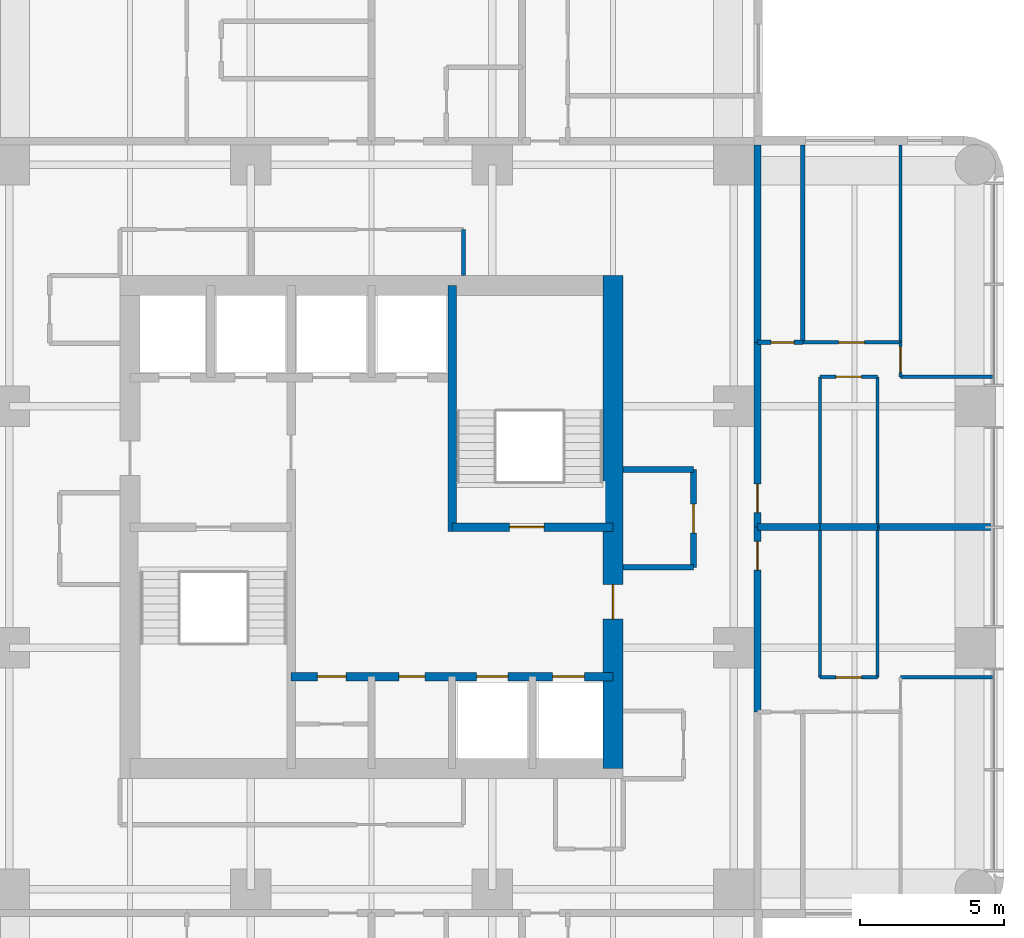
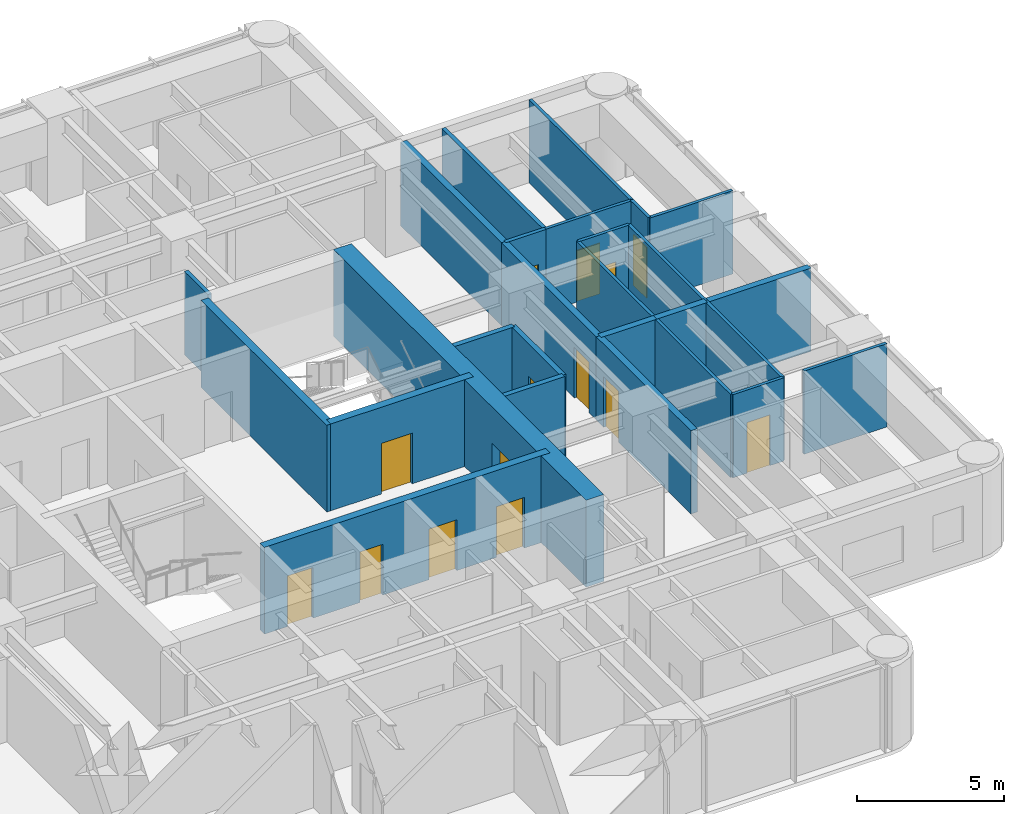
# One storey, part 8 of 11: 27 walls, 14 doors, 14 openings.
"""IFC4 building model written with IfcOpenShell, lengths in metres."""

from ifc_helpers import new_model, si_unit, direction, frame, frame_2d, origin, place, context, subcontext, project, spatial, rectangle, extrude, material, layer, layer_set, type_object, element, fill, save


model = new_model("IFC4")

# Units and contexts
model_context = context("Model", 3, precision=1e-05, world=origin(), true_north=direction((0.0, 1.0)))
body_context = subcontext(model_context, "Body", "Model", "MODEL_VIEW")
ifc_project = project(units=[si_unit("LENGTHUNIT", "METRE"), si_unit("AREAUNIT", "SQUARE_METRE"), si_unit("VOLUMEUNIT", "CUBIC_METRE"), si_unit("PLANEANGLEUNIT", "RADIAN"), si_unit("MASSUNIT", "GRAM", prefix="KILO")], contexts=[model_context])

# Site, building, storey
site_placement = place(None, origin())
site = spatial("IfcSite", under=ifc_project, at=site_placement, CompositionType="ELEMENT")
building_placement = place(site_placement, origin())
building = spatial("IfcBuilding", under=site, at=building_placement, Name="Torre Alcanfor", CompositionType="ELEMENT")
storey_placement = place(building_placement, frame((0.0, 0.0, 208.5)))
storey = spatial("IfcBuildingStorey", under=building, at=storey_placement, Name="L54", CompositionType="ELEMENT", Elevation=208.5)

# Wall, opening, door
ifc_material_1 = material(Name="Concrete block masonry, hollow blocks NMX-C-404 9 MPa", Category="masonry")
ifc_layer_1 = layer(ifc_material_1, 0.25)
ifc_layer_set_1 = layer_set([ifc_layer_1], Name="Apartment entrance wall 250 EI 60")
wall_type_1 = type_object("IfcWallType", Name="Apartment entrance wall 250 EI 60", PredefinedType="PARTITIONING", material=ifc_layer_set_1)
wall_1_placement = place(storey_placement, frame((42.824951171875, 35.8291015625, 0.0), z_axis=(0.0, 0.0, 1.0), x_axis=(0.0, -1.0, 0.0)))
wall_1 = element("IfcWall", 1, at=wall_1_placement, inside=storey, type_object=wall_type_1, Name="Partition L54-CORR / L54-E1-LIVING", PredefinedType="PARTITIONING", context=body_context, shape_type="SweptSolid", body=[
    extrude(rectangle(XDim=6.42919921875, YDim=0.25, at=frame_2d((3.214599609375, 0.0))), origin(), (0.0, 0.0, 1.0), 3.449951171875),
])
opening_1_placement = place(wall_1_placement, frame((4.928955078125, 0.0, 0.0)))
opening_1 = element("IfcOpeningElement", 2, at=opening_1_placement, cuts=wall_1, Name="Opening D-A1", PredefinedType="OPENING", context=body_context, shape_type="SweptSolid", body=[
    extrude(rectangle(XDim=1.0, YDim=2.10009765625, at=frame_2d((0.5, 1.050048828125))), frame((0.0, 0.135009765625, 0.0), z_axis=(0.0, -1.0, 0.0), x_axis=(1.0, 0.0, 0.0)), (0.0, 0.0, 1.0), 0.27001953125),
])
ifc_material_2 = material(Name="Galvanised steel sheet ASTM A653", Category="steel")
door_type_1 = type_object("IfcDoorType", Name="Apartment entrance door FD60 1000x2100", OperationType="SINGLE_SWING_LEFT", PredefinedType="DOOR", material=ifc_material_2)
door_1_placement = place(opening_1_placement, origin())
door_1 = element("IfcDoor", 3, at=door_1_placement, inside=storey, type_object=door_type_1, Name="Apartment entrance L54-E1", OperationType="SINGLE_SWING_RIGHT", OverallHeight=2.10009765625, OverallWidth=1.0, PredefinedType="DOOR", context=body_context, shape_type="SweptSolid", body=[
    extrude(rectangle(XDim=1.0, YDim=2.10009765625, at=frame_2d((0.5, 1.050048828125))), frame((0.0, 0.02490234375, 0.0), z_axis=(0.0, -1.0, 0.0), x_axis=(1.0, 0.0, 0.0)), (0.0, 0.0, 1.0), 0.050048828125),
])
fill(opening_1, door_1)

# Wall
wall_2_placement = place(storey_placement, frame((42.824951171875, 42.699951171875, 0.0), z_axis=(0.0, 0.0, 1.0), x_axis=(0.0, -1.0, 0.0)))
element("IfcWall", 4, at=wall_2_placement, inside=storey, type_object=wall_type_1, Name="Partition L54-CORR / L54-E1-BATH", PredefinedType="PARTITIONING", context=body_context, shape_type="SweptSolid", body=[
    extrude(rectangle(XDim=6.870849609375, YDim=0.25, at=frame_2d((3.435546875, 0.0))), origin(), (0.0, 0.0, 1.0), 3.449951171875),
])

# Wall, opening, door
wall_3_placement = place(storey_placement, frame((42.824951171875, 29.39990234375, 0.0), z_axis=(0.0, 0.0, 1.0), x_axis=(0.0, -1.0, 0.0)))
wall_3 = element("IfcWall", 5, at=wall_3_placement, inside=storey, type_object=wall_type_1, Name="Partition L54-CORR / L54-E2-LIVING", PredefinedType="PARTITIONING", context=body_context, shape_type="SweptSolid", body=[
    extrude(rectangle(XDim=6.428955078125, YDim=0.25, at=frame_2d((3.21435546875, 0.0))), origin(), (0.0, 0.0, 1.0), 3.449951171875),
])
opening_2_placement = place(wall_3_placement, frame((0.5, 0.0, 0.0)))
opening_2 = element("IfcOpeningElement", 6, at=opening_2_placement, cuts=wall_3, Name="Opening D-A1", PredefinedType="OPENING", context=body_context, shape_type="SweptSolid", body=[
    extrude(rectangle(XDim=1.0, YDim=2.10009765625, at=frame_2d((0.5, 1.050048828125))), frame((0.0, 0.135009765625, 0.0), z_axis=(0.0, -1.0, 0.0), x_axis=(1.0, 0.0, 0.0)), (0.0, 0.0, 1.0), 0.27001953125),
])
door_2_placement = place(opening_2_placement, origin())
door_2 = element("IfcDoor", 7, at=door_2_placement, inside=storey, type_object=door_type_1, Name="Apartment entrance L54-E2", OperationType="SINGLE_SWING_LEFT", OverallHeight=2.10009765625, OverallWidth=1.0, PredefinedType="DOOR", context=body_context, shape_type="SweptSolid", body=[
    extrude(rectangle(XDim=1.0, YDim=2.10009765625, at=frame_2d((0.5, 1.050048828125))), frame((0.0, 0.02490234375, 0.0), z_axis=(0.0, -1.0, 0.0), x_axis=(1.0, 0.0, 0.0)), (0.0, 0.0, 1.0), 0.050048828125),
])
fill(opening_2, door_2)

# Wall
ifc_material_3 = material(Name="Gypsum board on steel studs", Category="steel")
ifc_layer_2 = layer(ifc_material_3, 0.1201171875)
ifc_layer_set_2 = layer_set([ifc_layer_2], Name="Apartment partition 120")
wall_type_2 = type_object("IfcWallType", Name="Apartment partition 120", PredefinedType="PARTITIONING", material=ifc_layer_set_2)
wall_4_placement = place(storey_placement, frame((47.0, 29.39990234375, 0.0), z_axis=(0.0, 0.0, 1.0), x_axis=(0.0, 1.0, 0.0)))
element("IfcWall", 8, at=wall_4_placement, inside=storey, type_object=wall_type_2, Name="Partition L54-E1-KITCHEN / L54-E1-LIVING", PredefinedType="PARTITIONING", context=body_context, shape_type="SweptSolid", body=[
    extrude(rectangle(XDim=5.22900390625, YDim=0.1201171875, at=frame_2d((2.614501953125, 0.0))), origin(), (0.0, 0.0, 1.0), 3.449951171875),
])

# Wall, opening, door
wall_5_placement = place(storey_placement, frame((47.0, 34.62890625, 0.0), z_axis=(0.0, 0.0, 1.0), x_axis=(-1.0, 0.0, 0.0)))
wall_5 = element("IfcWall", 9, at=wall_5_placement, inside=storey, type_object=wall_type_2, Name="Partition L54-E1-KITCHEN / L54-E1-LIVING", PredefinedType="PARTITIONING", context=body_context, shape_type="SweptSolid", body=[
    extrude(rectangle(XDim=2.0, YDim=0.1201171875, at=frame_2d((1.0, 0.0))), origin(), (0.0, 0.0, 1.0), 3.449951171875),
])
opening_3_placement = place(wall_5_placement, frame((0.550048828125, 0.0, 0.0)))
opening_3 = element("IfcOpeningElement", 10, at=opening_3_placement, cuts=wall_5, Name="Opening D-R1", PredefinedType="OPENING", context=body_context, shape_type="SweptSolid", body=[
    extrude(rectangle(XDim=0.89990234375, YDim=2.10009765625, at=frame_2d((0.449951171875, 1.050048828125))), frame((0.0, 0.070068359375, 0.0), z_axis=(0.0, -1.0, 0.0), x_axis=(1.0, 0.0, 0.0)), (0.0, 0.0, 1.0), 0.14013671875),
])
ifc_material_4 = material(Name="Timber", Category="wood")
door_type_2 = type_object("IfcDoorType", Name="Internal door 900x2100", OperationType="SINGLE_SWING_LEFT", PredefinedType="DOOR", material=ifc_material_4)
door_3_placement = place(opening_3_placement, origin())
door_3 = element("IfcDoor", 11, at=door_3_placement, inside=storey, type_object=door_type_2, Name="Door L54-E1 kitchen", OperationType="SINGLE_SWING_LEFT", OverallHeight=2.10009765625, OverallWidth=0.89990234375, PredefinedType="DOOR", context=body_context, shape_type="SweptSolid", body=[
    extrude(rectangle(XDim=0.89990234375, YDim=2.10009765625, at=frame_2d((0.449951171875, 1.050048828125))), frame((0.0, 0.02490234375, 0.0), z_axis=(0.0, -1.0, 0.0), x_axis=(1.0, 0.0, 0.0)), (0.0, 0.0, 1.0), 0.050048828125),
])
fill(opening_3, door_3)

# Wall
wall_6_placement = place(storey_placement, frame((45.0, 34.62890625, 0.0), z_axis=(0.0, 0.0, 1.0), x_axis=(0.0, -1.0, 0.0)))
element("IfcWall", 12, at=wall_6_placement, inside=storey, type_object=wall_type_2, Name="Partition L54-E1-KITCHEN / L54-E1-LIVING", PredefinedType="PARTITIONING", context=body_context, shape_type="SweptSolid", body=[
    extrude(rectangle(XDim=5.22900390625, YDim=0.1201171875, at=frame_2d((2.614501953125, 0.0))), origin(), (0.0, 0.0, 1.0), 3.449951171875),
])

# Wall, opening, door
wall_7_placement = place(storey_placement, frame((44.39990234375, 35.8291015625, 0.0), z_axis=(0.0, 0.0, 1.0), x_axis=(1.0, 0.0, 0.0)))
wall_7 = element("IfcWall", 13, at=wall_7_placement, inside=storey, type_object=wall_type_2, Name="Partition L54-E1-LIVING / L54-E1-STUDY", PredefinedType="PARTITIONING", context=body_context, shape_type="SweptSolid", body=[
    extrude(rectangle(XDim=3.400146484375, YDim=0.1201171875, at=frame_2d((1.7001953125, 0.0))), origin(), (0.0, 0.0, 1.0), 3.449951171875),
])
opening_4_placement = place(wall_7_placement, frame((1.25, 0.0, 0.0)))
opening_4 = element("IfcOpeningElement", 14, at=opening_4_placement, cuts=wall_7, Name="Opening D-R1", PredefinedType="OPENING", context=body_context, shape_type="SweptSolid", body=[
    extrude(rectangle(XDim=0.89990234375, YDim=2.10009765625, at=frame_2d((0.449951171875, 1.050048828125))), frame((0.0, 0.070068359375, 0.0), z_axis=(0.0, -1.0, 0.0), x_axis=(1.0, 0.0, 0.0)), (0.0, 0.0, 1.0), 0.14013671875),
])
door_4_placement = place(opening_4_placement, origin())
door_4 = element("IfcDoor", 15, at=door_4_placement, inside=storey, type_object=door_type_2, Name="Door L54-E1 study", OperationType="SINGLE_SWING_LEFT", OverallHeight=2.10009765625, OverallWidth=0.89990234375, PredefinedType="DOOR", context=body_context, shape_type="SweptSolid", body=[
    extrude(rectangle(XDim=0.89990234375, YDim=2.10009765625, at=frame_2d((0.449951171875, 1.050048828125))), frame((0.0, 0.02490234375, 0.0), z_axis=(0.0, -1.0, 0.0), x_axis=(1.0, 0.0, 0.0)), (0.0, 0.0, 1.0), 0.050048828125),
])
fill(opening_4, door_4)

wall_8_placement = place(storey_placement, frame((47.800048828125, 35.8291015625, 0.0), z_axis=(0.0, 0.0, 1.0), x_axis=(0.0, -1.0, 0.0)))
wall_8 = element("IfcWall", 16, at=wall_8_placement, inside=storey, type_object=wall_type_2, Name="Partition L54-E1-LIVING / L54-E1-MASTER", PredefinedType="PARTITIONING", context=body_context, shape_type="SweptSolid", body=[
    extrude(rectangle(XDim=1.2001953125, YDim=0.1201171875, at=frame_2d((0.60009765625, 0.0))), origin(), (0.0, 0.0, 1.0), 3.449951171875),
])
opening_5_placement = place(wall_8_placement, frame((0.14892578125, 0.0, 0.0)))
opening_5 = element("IfcOpeningElement", 17, at=opening_5_placement, cuts=wall_8, Name="Opening D-R1", PredefinedType="OPENING", context=body_context, shape_type="SweptSolid", body=[
    extrude(rectangle(XDim=0.89990234375, YDim=2.10009765625, at=frame_2d((0.449951171875, 1.050048828125))), frame((0.0, 0.070068359375, 0.0), z_axis=(0.0, -1.0, 0.0), x_axis=(1.0, 0.0, 0.0)), (0.0, 0.0, 1.0), 0.14013671875),
])
door_5_placement = place(opening_5_placement, origin())
door_5 = element("IfcDoor", 18, at=door_5_placement, inside=storey, type_object=door_type_2, Name="Door L54-E1 master", OperationType="SINGLE_SWING_RIGHT", OverallHeight=2.10009765625, OverallWidth=0.89990234375, PredefinedType="DOOR", context=body_context, shape_type="SweptSolid", body=[
    extrude(rectangle(XDim=0.89990234375, YDim=2.10009765625, at=frame_2d((0.449951171875, 1.050048828125))), frame((0.0, 0.02490234375, 0.0), z_axis=(0.0, -1.0, 0.0), x_axis=(1.0, 0.0, 0.0)), (0.0, 0.0, 1.0), 0.050048828125),
])
fill(opening_5, door_5)

# Walls
wall_9_placement = place(storey_placement, frame((47.800048828125, 34.62890625, 0.0), z_axis=(0.0, 0.0, 1.0), x_axis=(1.0, 0.0, 0.0)))
element("IfcWall", 19, at=wall_9_placement, inside=storey, type_object=wall_type_2, Name="Partition L54-E1-LIVING / L54-E1-MASTER", PredefinedType="PARTITIONING", context=body_context, shape_type="SweptSolid", body=[
    extrude(rectangle(XDim=3.25, YDim=0.1201171875, at=frame_2d((1.625, 0.0))), origin(), (0.0, 0.0, 1.0), 3.449951171875),
])
wall_10_placement = place(storey_placement, frame((47.800048828125, 35.8291015625, 0.0), z_axis=(0.0, 0.0, 1.0), x_axis=(0.0, 1.0, 0.0)))
element("IfcWall", 20, at=wall_10_placement, inside=storey, type_object=wall_type_2, Name="Partition L54-E1-STUDY / L54-E1-MASTER", PredefinedType="PARTITIONING", context=body_context, shape_type="SweptSolid", body=[
    extrude(rectangle(XDim=6.870849609375, YDim=0.1201171875, at=frame_2d((3.435546875, 0.0))), origin(), (0.0, 0.0, 1.0), 3.449951171875),
])
wall_11_placement = place(storey_placement, frame((47.0, 29.39990234375, 0.0), z_axis=(0.0, 0.0, 1.0), x_axis=(0.0, -1.0, 0.0)))
element("IfcWall", 21, at=wall_11_placement, inside=storey, type_object=wall_type_2, Name="Partition L54-E2-KITCHEN / L54-E2-LIVING", PredefinedType="PARTITIONING", context=body_context, shape_type="SweptSolid", body=[
    extrude(rectangle(XDim=5.22900390625, YDim=0.1201171875, at=frame_2d((2.614501953125, 0.0))), origin(), (0.0, 0.0, 1.0), 3.449951171875),
])

# Wall, opening, door
wall_12_placement = place(storey_placement, frame((47.0, 24.1708984375, 0.0), z_axis=(0.0, 0.0, 1.0), x_axis=(-1.0, 0.0, 0.0)))
wall_12 = element("IfcWall", 22, at=wall_12_placement, inside=storey, type_object=wall_type_2, Name="Partition L54-E2-KITCHEN / L54-E2-LIVING", PredefinedType="PARTITIONING", context=body_context, shape_type="SweptSolid", body=[
    extrude(rectangle(XDim=2.0, YDim=0.1201171875, at=frame_2d((1.0, 0.0))), origin(), (0.0, 0.0, 1.0), 3.449951171875),
])
opening_6_placement = place(wall_12_placement, frame((0.550048828125, 0.0, 0.0)))
opening_6 = element("IfcOpeningElement", 23, at=opening_6_placement, cuts=wall_12, Name="Opening D-R1", PredefinedType="OPENING", context=body_context, shape_type="SweptSolid", body=[
    extrude(rectangle(XDim=0.89990234375, YDim=2.10009765625, at=frame_2d((0.449951171875, 1.050048828125))), frame((0.0, 0.070068359375, 0.0), z_axis=(0.0, -1.0, 0.0), x_axis=(1.0, 0.0, 0.0)), (0.0, 0.0, 1.0), 0.14013671875),
])
door_6_placement = place(opening_6_placement, frame((0.89990234375, 0.0, 0.0), z_axis=(0.0, 0.0, 1.0), x_axis=(-1.0, 0.0, 0.0)))
door_6 = element("IfcDoor", 24, at=door_6_placement, inside=storey, type_object=door_type_2, Name="Door L54-E2 kitchen", OperationType="SINGLE_SWING_RIGHT", OverallHeight=2.10009765625, OverallWidth=0.89990234375, PredefinedType="DOOR", context=body_context, shape_type="SweptSolid", body=[
    extrude(rectangle(XDim=0.89990234375, YDim=2.10009765625, at=frame_2d((0.449951171875, 1.050048828125))), frame((0.0, 0.025146484375, 0.0), z_axis=(0.0, -1.0, 0.0), x_axis=(1.0, 0.0, 0.0)), (0.0, 0.0, 1.0), 0.050048828125),
])
fill(opening_6, door_6)

# Walls
wall_13_placement = place(storey_placement, frame((45.0, 24.1708984375, 0.0), z_axis=(0.0, 0.0, 1.0), x_axis=(0.0, 1.0, 0.0)))
element("IfcWall", 25, at=wall_13_placement, inside=storey, type_object=wall_type_2, Name="Partition L54-E2-KITCHEN / L54-E2-LIVING", PredefinedType="PARTITIONING", context=body_context, shape_type="SweptSolid", body=[
    extrude(rectangle(XDim=5.22900390625, YDim=0.1201171875, at=frame_2d((2.614501953125, 0.0))), origin(), (0.0, 0.0, 1.0), 3.449951171875),
])
wall_14_placement = place(storey_placement, frame((51.050048828125, 24.1708984375, 0.0), z_axis=(0.0, 0.0, 1.0), x_axis=(-1.0, 0.0, 0.0)))
element("IfcWall", 26, at=wall_14_placement, inside=storey, type_object=wall_type_2, Name="Partition L54-E2-LIVING / L54-E2-MASTER", PredefinedType="PARTITIONING", context=body_context, shape_type="SweptSolid", body=[
    extrude(rectangle(XDim=3.25, YDim=0.1201171875, at=frame_2d((1.625, 0.0))), origin(), (0.0, 0.0, 1.0), 3.449951171875),
])

# Wall, openings, doors
ifc_material_5 = material(Name="Concrete f'c 70 MPa", Category="concrete")
ifc_layer_3 = layer(ifc_material_5, 0.300048828125)
ifc_layer_set_3 = layer_set([ifc_layer_3], Name="Core inner wall 300 f'c70")
wall_type_3 = type_object("IfcWallType", Name="Core inner wall 300 f'c70", PredefinedType="SHEAR", material=ifc_layer_set_3)
wall_15_placement = place(storey_placement, frame((26.60009765625, 24.199951171875, 0.0), z_axis=(0.0, 0.0, 1.0), x_axis=(1.0, 0.0, 0.0)))
wall_15 = element("IfcWall", 27, at=wall_15_placement, inside=storey, type_object=wall_type_3, Name="Core wall Y242 L54", PredefinedType="SHEAR", context=body_context, shape_type="SweptSolid", body=[
    extrude(rectangle(XDim=11.199951171875, YDim=0.300048828125, at=frame_2d((5.60009765625, 0.0))), origin(), (0.0, 0.0, 1.0), 3.60009765625),
])
opening_7_placement = place(wall_15_placement, frame((0.91259765625, 0.0, 0.0)))
opening_7 = element("IfcOpeningElement", 28, at=opening_7_placement, cuts=wall_15, Name="Opening D-K1", PredefinedType="OPENING", context=body_context, shape_type="SweptSolid", body=[
    extrude(rectangle(XDim=1.0, YDim=2.10009765625, at=frame_2d((0.5, 1.050048828125))), frame((0.0, 0.159912109375, 0.0), z_axis=(0.0, -1.0, 0.0), x_axis=(1.0, 0.0, 0.0)), (0.0, 0.0, 1.0), 0.320068359375),
])
opening_8_placement = place(wall_15_placement, frame((3.75, 0.0, 0.0)))
opening_8 = element("IfcOpeningElement", 29, at=opening_8_placement, cuts=wall_15, Name="Opening D-Q1", PredefinedType="OPENING", context=body_context, shape_type="SweptSolid", body=[
    extrude(rectangle(XDim=0.89990234375, YDim=2.10009765625, at=frame_2d((0.449951171875, 1.050048828125))), frame((0.0, 0.159912109375, 0.0), z_axis=(0.0, -1.0, 0.0), x_axis=(1.0, 0.0, 0.0)), (0.0, 0.0, 1.0), 0.320068359375),
])
opening_9_placement = place(wall_15_placement, frame((6.449951171875, 0.0, 0.0)))
opening_9 = element("IfcOpeningElement", 30, at=opening_9_placement, cuts=wall_15, Name="Opening LD1", PredefinedType="OPENING", context=body_context, shape_type="SweptSolid", body=[
    extrude(rectangle(XDim=1.10009765625, YDim=2.10009765625, at=frame_2d((0.550048828125, 1.050048828125))), frame((0.0, 0.159912109375, 0.0), z_axis=(0.0, -1.0, 0.0), x_axis=(1.0, 0.0, 0.0)), (0.0, 0.0, 1.0), 0.320068359375),
])
opening_10_placement = place(wall_15_placement, frame((9.10009765625, 0.0, 0.0)))
opening_10 = element("IfcOpeningElement", 31, at=opening_10_placement, cuts=wall_15, Name="Opening LD1", PredefinedType="OPENING", context=body_context, shape_type="SweptSolid", body=[
    extrude(rectangle(XDim=1.10009765625, YDim=2.10009765625, at=frame_2d((0.550048828125, 1.050048828125))), frame((0.0, 0.159912109375, 0.0), z_axis=(0.0, -1.0, 0.0), x_axis=(1.0, 0.0, 0.0)), (0.0, 0.0, 1.0), 0.320068359375),
])
ifc_material_6 = material(Name="Galvanised steel sheet ASTM A653", Category="steel")
door_type_3 = type_object("IfcDoorType", Name="Core room door FD60 1000x2100", OperationType="SINGLE_SWING_LEFT", PredefinedType="DOOR", material=ifc_material_6)
door_7_placement = place(opening_7_placement, frame((1.0, 0.0, 0.0), z_axis=(0.0, 0.0, 1.0), x_axis=(-1.0, 0.0, 0.0)))
door_7 = element("IfcDoor", 32, at=door_7_placement, inside=storey, type_object=door_type_3, Name="Residents' storage door L54", OperationType="SINGLE_SWING_RIGHT", OverallHeight=2.10009765625, OverallWidth=1.0, PredefinedType="DOOR", context=body_context, shape_type="SweptSolid", body=[
    extrude(rectangle(XDim=1.0, YDim=2.10009765625, at=frame_2d((0.5, 1.050048828125))), frame((0.0, 0.025146484375, 0.0), z_axis=(0.0, -1.0, 0.0), x_axis=(1.0, 0.0, 0.0)), (0.0, 0.0, 1.0), 0.050048828125),
])
fill(opening_7, door_7)
ifc_material_7 = material(Name="Galvanised steel sheet ASTM A653", Category="steel")
door_type_4 = type_object("IfcDoorType", Name="Lift landing door 1100x2100", OperationType="DOUBLE_DOOR_SLIDING", PredefinedType="DOOR", material=ifc_material_7)
door_8_placement = place(opening_9_placement, origin())
door_8 = element("IfcDoor", 33, at=door_8_placement, inside=storey, type_object=door_type_4, Name="Lift landing door PA3 L54", OperationType="DOUBLE_DOOR_SLIDING", OverallHeight=2.10009765625, OverallWidth=1.10009765625, PredefinedType="DOOR", context=body_context, shape_type="SweptSolid", body=[
    extrude(rectangle(XDim=1.10009765625, YDim=2.10009765625, at=frame_2d((0.550048828125, 1.050048828125))), frame((0.0, 0.02490234375, 0.0), z_axis=(0.0, -1.0, 0.0), x_axis=(1.0, 0.0, 0.0)), (0.0, 0.0, 1.0), 0.050048828125),
])
fill(opening_9, door_8)
door_9_placement = place(opening_10_placement, origin())
door_9 = element("IfcDoor", 34, at=door_9_placement, inside=storey, type_object=door_type_4, Name="Lift landing door PA4 L54", OperationType="DOUBLE_DOOR_SLIDING", OverallHeight=2.10009765625, OverallWidth=1.10009765625, PredefinedType="DOOR", context=body_context, shape_type="SweptSolid", body=[
    extrude(rectangle(XDim=1.10009765625, YDim=2.10009765625, at=frame_2d((0.550048828125, 1.050048828125))), frame((0.0, 0.02490234375, 0.0), z_axis=(0.0, -1.0, 0.0), x_axis=(1.0, 0.0, 0.0)), (0.0, 0.0, 1.0), 0.050048828125),
])
fill(opening_10, door_9)
ifc_material_8 = material(Name="Galvanised steel sheet ASTM A653", Category="steel")
door_type_5 = type_object("IfcDoorType", Name="Riser access door FD120 900x2100", OperationType="SINGLE_SWING_LEFT", PredefinedType="DOOR", material=ifc_material_8)
door_10_placement = place(opening_8_placement, frame((0.89990234375, 0.0, 0.0), z_axis=(0.0, 0.0, 1.0), x_axis=(-1.0, 0.0, 0.0)))
door_10 = element("IfcDoor", 35, at=door_10_placement, inside=storey, type_object=door_type_5, Name="Riser door L54", OperationType="SINGLE_SWING_RIGHT", OverallHeight=2.10009765625, OverallWidth=0.89990234375, PredefinedType="DOOR", context=body_context, shape_type="SweptSolid", body=[
    extrude(rectangle(XDim=0.89990234375, YDim=2.10009765625, at=frame_2d((0.449951171875, 1.050048828125))), frame((0.0, 0.025146484375, 0.0), z_axis=(0.0, -1.0, 0.0), x_axis=(1.0, 0.0, 0.0)), (0.0, 0.0, 1.0), 0.050048828125),
])
fill(opening_8, door_10)

# Wall
wall_16_placement = place(storey_placement, frame((32.199951171875, 29.25, 0.0), z_axis=(0.0, 0.0, 1.0), x_axis=(0.0, 1.0, 0.0)))
element("IfcWall", 36, at=wall_16_placement, inside=storey, type_object=wall_type_3, Name="Core wall X322N L54", PredefinedType="SHEAR", context=body_context, shape_type="SweptSolid", body=[
    extrude(rectangle(XDim=8.550048828125, YDim=0.300048828125, at=frame_2d((4.27490234375, 0.0))), origin(), (0.0, 0.0, 1.0), 3.60009765625),
])

# Wall, opening, door
wall_17_placement = place(storey_placement, frame((32.199951171875, 29.39990234375, 0.0), z_axis=(0.0, 0.0, 1.0), x_axis=(1.0, 0.0, 0.0)))
wall_17 = element("IfcWall", 37, at=wall_17_placement, inside=storey, type_object=wall_type_3, Name="Core wall Y294E L54", PredefinedType="SHEAR", context=body_context, shape_type="SweptSolid", body=[
    extrude(rectangle(XDim=5.60009765625, YDim=0.300048828125, at=frame_2d((2.800048828125, 0.0))), origin(), (0.0, 0.0, 1.0), 3.60009765625),
])
opening_11_placement = place(wall_17_placement, frame((2.0, 0.0, 0.0)))
opening_11 = element("IfcOpeningElement", 38, at=opening_11_placement, cuts=wall_17, Name="Opening D-S2", PredefinedType="OPENING", context=body_context, shape_type="SweptSolid", body=[
    extrude(rectangle(XDim=1.199951171875, YDim=2.10009765625, at=frame_2d((0.60009765625, 1.050048828125))), frame((0.0, 0.159912109375, 0.0), z_axis=(0.0, -1.0, 0.0), x_axis=(1.0, 0.0, 0.0)), (0.0, 0.0, 1.0), 0.320068359375),
])
ifc_material_9 = material(Name="Galvanised steel sheet ASTM A653", Category="steel")
door_type_6 = type_object("IfcDoorType", Name="Stair enclosure door FD120 1200x2100", OperationType="SINGLE_SWING_LEFT", PredefinedType="DOOR", material=ifc_material_9)
door_11_placement = place(opening_11_placement, origin())
door_11 = element("IfcDoor", 39, at=door_11_placement, inside=storey, type_object=door_type_6, Name="Stair S2 door L54", OperationType="SINGLE_SWING_LEFT", OverallHeight=2.10009765625, OverallWidth=1.199951171875, PredefinedType="DOOR", context=body_context, shape_type="SweptSolid", body=[
    extrude(rectangle(XDim=1.199951171875, YDim=2.10009765625, at=frame_2d((0.60009765625, 1.050048828125))), frame((0.0, 0.02490234375, 0.0), z_axis=(0.0, -1.0, 0.0), x_axis=(1.0, 0.0, 0.0)), (0.0, 0.0, 1.0), 0.050048828125),
])
fill(opening_11, door_11)

ifc_material_10 = material(Name="Concrete f'c 70 MPa", Category="concrete")
ifc_layer_4 = layer(ifc_material_10, 0.699951171875)
ifc_layer_set_4 = layer_set([ifc_layer_4], Name="Core wall 700 f'c70")
wall_type_4 = type_object("IfcWallType", Name="Core wall 700 f'c70", PredefinedType="SHEAR", material=ifc_layer_set_4)
wall_18_placement = place(storey_placement, frame((37.800048828125, 21.0, 0.0), z_axis=(0.0, 0.0, 1.0), x_axis=(0.0, 1.0, 0.0)))
wall_18 = element("IfcWall", 40, at=wall_18_placement, inside=storey, type_object=wall_type_4, Name="Core wall OUT-E L54", PredefinedType="SHEAR", context=body_context, shape_type="SweptSolid", body=[
    extrude(rectangle(XDim=17.14990234375, YDim=0.699951171875, at=frame_2d((8.574951171875, 0.0))), origin(), (0.0, 0.0, 1.0), 3.60009765625),
])
opening_12_placement = place(wall_18_placement, frame((5.199951171875, 0.0, 0.0)))
opening_12 = element("IfcOpeningElement", 41, at=opening_12_placement, cuts=wall_18, Name="Opening D-L1", PredefinedType="OPENING", context=body_context, shape_type="SweptSolid", body=[
    extrude(rectangle(XDim=1.199951171875, YDim=2.10009765625, at=frame_2d((0.60009765625, 1.050048828125))), frame((0.0, 0.35986328125, 0.0), z_axis=(0.0, -1.0, 0.0), x_axis=(1.0, 0.0, 0.0)), (0.0, 0.0, 1.0), 0.719970703125),
])
ifc_material_11 = material(Name="Galvanised steel sheet ASTM A653", Category="steel")
door_type_7 = type_object("IfcDoorType", Name="Lobby door FD120 1200x2100", OperationType="SINGLE_SWING_LEFT", PredefinedType="DOOR", material=ifc_material_11)
door_12_placement = place(opening_12_placement, origin())
door_12 = element("IfcDoor", 42, at=door_12_placement, inside=storey, type_object=door_type_7, Name="Lift lobby entrance door L54", OperationType="SINGLE_SWING_LEFT", OverallHeight=2.10009765625, OverallWidth=1.199951171875, PredefinedType="DOOR", context=body_context, shape_type="SweptSolid", body=[
    extrude(rectangle(XDim=1.199951171875, YDim=2.10009765625, at=frame_2d((0.60009765625, 1.050048828125))), frame((0.0, 0.02490234375, 0.0), z_axis=(0.0, -1.0, 0.0), x_axis=(1.0, 0.0, 0.0)), (0.0, 0.0, 1.0), 0.050048828125),
])
fill(opening_12, door_12)

# Walls
ifc_material_12 = material(Name="Concrete block masonry, hollow blocks NMX-C-404 9 MPa", Category="masonry")
ifc_layer_5 = layer(ifc_material_12, 0.25)
ifc_layer_set_5 = layer_set([ifc_layer_5], Name="Party wall 250 EI 60")
wall_type_5 = type_object("IfcWallType", Name="Party wall 250 EI 60", PredefinedType="PARTITIONING", material=ifc_layer_set_5)
wall_19_placement = place(storey_placement, frame((45.0, 29.39990234375, 0.0), z_axis=(0.0, 0.0, 1.0), x_axis=(1.0, 0.0, 0.0)))
element("IfcWall", 43, at=wall_19_placement, inside=storey, type_object=wall_type_5, Name="Partition L54-E1-KITCHEN / L54-E2-KITCHEN", PredefinedType="PARTITIONING", context=body_context, shape_type="SweptSolid", body=[
    extrude(rectangle(XDim=2.0, YDim=0.25, at=frame_2d((1.0, 0.0))), origin(), (0.0, 0.0, 1.0), 3.449951171875),
])
wall_20_placement = place(storey_placement, frame((45.0, 29.39990234375, 0.0), z_axis=(0.0, 0.0, 1.0), x_axis=(-1.0, 0.0, 0.0)))
element("IfcWall", 44, at=wall_20_placement, inside=storey, type_object=wall_type_5, Name="Partition L54-E1-LIVING / L54-E2-LIVING", PredefinedType="PARTITIONING", context=body_context, shape_type="SweptSolid", body=[
    extrude(rectangle(XDim=2.175048828125, YDim=0.25, at=frame_2d((1.08740234375, 0.0))), origin(), (0.0, 0.0, 1.0), 3.449951171875),
])
wall_21_placement = place(storey_placement, frame((51.050048828125, 29.39990234375, 0.0), z_axis=(0.0, 0.0, 1.0), x_axis=(-1.0, 0.0, 0.0)))
element("IfcWall", 45, at=wall_21_placement, inside=storey, type_object=wall_type_5, Name="Partition L54-E1-LIVING / L54-E2-LIVING", PredefinedType="PARTITIONING", context=body_context, shape_type="SweptSolid", body=[
    extrude(rectangle(XDim=4.050048828125, YDim=0.25, at=frame_2d((2.02490234375, 0.0))), origin(), (0.0, 0.0, 1.0), 3.449951171875),
])
ifc_material_13 = material(Name="Concrete block masonry, hollow blocks NMX-C-404 9 MPa", Category="masonry")
ifc_layer_6 = layer(ifc_material_13, 0.199951171875)
ifc_layer_set_6 = layer_set([ifc_layer_6], Name="Plant room wall 200 EI 60")
wall_type_6 = type_object("IfcWallType", Name="Plant room wall 200 EI 60", PredefinedType="PARTITIONING", material=ifc_layer_set_6)
wall_22_placement = place(storey_placement, frame((38.14990234375, 28.0, 0.0), z_axis=(0.0, 0.0, 1.0), x_axis=(1.0, 0.0, 0.0)))
element("IfcWall", 46, at=wall_22_placement, inside=storey, type_object=wall_type_6, Name="Partition L54-CORR / L54-G04", PredefinedType="PARTITIONING", context=body_context, shape_type="SweptSolid", body=[
    extrude(rectangle(XDim=2.4501953125, YDim=0.199951171875, at=frame_2d((1.22509765625, 0.0))), origin(), (0.0, 0.0, 1.0), 3.449951171875),
])

# Wall, opening, door
wall_23_placement = place(storey_placement, frame((40.60009765625, 28.0, 0.0), z_axis=(0.0, 0.0, 1.0), x_axis=(0.0, 1.0, 0.0)))
wall_23 = element("IfcWall", 47, at=wall_23_placement, inside=storey, type_object=wall_type_6, Name="Partition L54-CORR / L54-G04", PredefinedType="PARTITIONING", context=body_context, shape_type="SweptSolid", body=[
    extrude(rectangle(XDim=3.39990234375, YDim=0.199951171875, at=frame_2d((1.699951171875, 0.0))), origin(), (0.0, 0.0, 1.0), 3.449951171875),
])
opening_13_placement = place(wall_23_placement, frame((1.199951171875, 0.0, 0.0)))
opening_13 = element("IfcOpeningElement", 48, at=opening_13_placement, cuts=wall_23, Name="Opening D-K1", PredefinedType="OPENING", context=body_context, shape_type="SweptSolid", body=[
    extrude(rectangle(XDim=1.0, YDim=2.10009765625, at=frame_2d((0.5, 1.050048828125))), frame((0.0, 0.10986328125, 0.0), z_axis=(0.0, -1.0, 0.0), x_axis=(1.0, 0.0, 0.0)), (0.0, 0.0, 1.0), 0.219970703125),
])
door_13_placement = place(opening_13_placement, origin())
door_13 = element("IfcDoor", 49, at=door_13_placement, inside=storey, type_object=door_type_3, Name="Door L54-G04 refuse and recycling store", OperationType="SINGLE_SWING_LEFT", OverallHeight=2.10009765625, OverallWidth=1.0, PredefinedType="DOOR", context=body_context, shape_type="SweptSolid", body=[
    extrude(rectangle(XDim=1.0, YDim=2.10009765625, at=frame_2d((0.5, 1.050048828125))), frame((0.0, 0.02490234375, 0.0), z_axis=(0.0, -1.0, 0.0), x_axis=(1.0, 0.0, 0.0)), (0.0, 0.0, 1.0), 0.050048828125),
])
fill(opening_13, door_13)

# Walls
wall_24_placement = place(storey_placement, frame((40.60009765625, 31.39990234375, 0.0), z_axis=(0.0, 0.0, 1.0), x_axis=(-1.0, 0.0, 0.0)))
element("IfcWall", 50, at=wall_24_placement, inside=storey, type_object=wall_type_6, Name="Partition L54-CORR / L54-G04", PredefinedType="PARTITIONING", context=body_context, shape_type="SweptSolid", body=[
    extrude(rectangle(XDim=2.4501953125, YDim=0.199951171875, at=frame_2d((1.22509765625, 0.0))), origin(), (0.0, 0.0, 1.0), 3.449951171875),
])
ifc_material_14 = material(Name="Concrete block masonry, hollow blocks NMX-C-404 9 MPa", Category="masonry")
ifc_layer_7 = layer(ifc_material_14, 0.14990234375)
ifc_layer_set_7 = layer_set([ifc_layer_7], Name="Residents' room partition 150")
wall_type_7 = type_object("IfcWallType", Name="Residents' room partition 150", PredefinedType="PARTITIONING", material=ifc_layer_set_7)
wall_25_placement = place(storey_placement, frame((32.60009765625, 38.14990234375, 0.0), z_axis=(0.0, 0.0, 1.0), x_axis=(0.0, 1.0, 0.0)))
element("IfcWall", 51, at=wall_25_placement, inside=storey, type_object=wall_type_7, Name="Partition L54-CORR / L54-G02", PredefinedType="PARTITIONING", context=body_context, shape_type="SweptSolid", body=[
    extrude(rectangle(XDim=1.60009765625, YDim=0.14990234375, at=frame_2d((0.800048828125, 0.0))), origin(), (0.0, 0.0, 1.0), 3.449951171875),
])

# Wall, opening, door
ifc_material_15 = material(Name="Cement board on steel studs", Category="steel")
ifc_layer_8 = layer(ifc_material_15, 0.14990234375)
ifc_layer_set_8 = layer_set([ifc_layer_8], Name="Wet area partition 150")
wall_type_8 = type_object("IfcWallType", Name="Wet area partition 150", PredefinedType="PARTITIONING", material=ifc_layer_set_8)
wall_26_placement = place(storey_placement, frame((42.824951171875, 35.8291015625, 0.0), z_axis=(0.0, 0.0, 1.0), x_axis=(1.0, 0.0, 0.0)))
wall_26 = element("IfcWall", 52, at=wall_26_placement, inside=storey, type_object=wall_type_8, Name="Partition L54-E1-LIVING / L54-E1-BATH", PredefinedType="PARTITIONING", context=body_context, shape_type="SweptSolid", body=[
    extrude(rectangle(XDim=1.574951171875, YDim=0.14990234375, at=frame_2d((0.78759765625, 0.0))), origin(), (0.0, 0.0, 1.0), 3.449951171875),
])
opening_14_placement = place(wall_26_placement, frame((0.47509765625, 0.0, 0.0)))
opening_14 = element("IfcOpeningElement", 53, at=opening_14_placement, cuts=wall_26, Name="Opening D-R2", PredefinedType="OPENING", context=body_context, shape_type="SweptSolid", body=[
    extrude(rectangle(XDim=0.800048828125, YDim=2.10009765625, at=frame_2d((0.39990234375, 1.050048828125))), frame((0.0, 0.0849609375, 0.0), z_axis=(0.0, -1.0, 0.0), x_axis=(1.0, 0.0, 0.0)), (0.0, 0.0, 1.0), 0.169921875),
])
ifc_material_16 = material(Name="Timber", Category="wood")
door_type_8 = type_object("IfcDoorType", Name="Bathroom door 800x2100", OperationType="SINGLE_SWING_LEFT", PredefinedType="DOOR", material=ifc_material_16)
door_14_placement = place(opening_14_placement, origin())
door_14 = element("IfcDoor", 54, at=door_14_placement, inside=storey, type_object=door_type_8, Name="Door L54-E1 bath", OperationType="SINGLE_SWING_RIGHT", OverallHeight=2.10009765625, OverallWidth=0.800048828125, PredefinedType="DOOR", context=body_context, shape_type="SweptSolid", body=[
    extrude(rectangle(XDim=0.800048828125, YDim=2.10009765625, at=frame_2d((0.39990234375, 1.050048828125))), frame((0.0, 0.02490234375, 0.0), z_axis=(0.0, -1.0, 0.0), x_axis=(1.0, 0.0, 0.0)), (0.0, 0.0, 1.0), 0.050048828125),
])
fill(opening_14, door_14)

# Wall
wall_27_placement = place(storey_placement, frame((44.39990234375, 35.8291015625, 0.0), z_axis=(0.0, 0.0, 1.0), x_axis=(0.0, 1.0, 0.0)))
element("IfcWall", 55, at=wall_27_placement, inside=storey, type_object=wall_type_8, Name="Partition L54-E1-BATH / L54-E1-STUDY", PredefinedType="PARTITIONING", context=body_context, shape_type="SweptSolid", body=[
    extrude(rectangle(XDim=6.870849609375, YDim=0.14990234375, at=frame_2d((3.435546875, 0.0))), origin(), (0.0, 0.0, 1.0), 3.449951171875),
])

save(model, "model.ifc")
